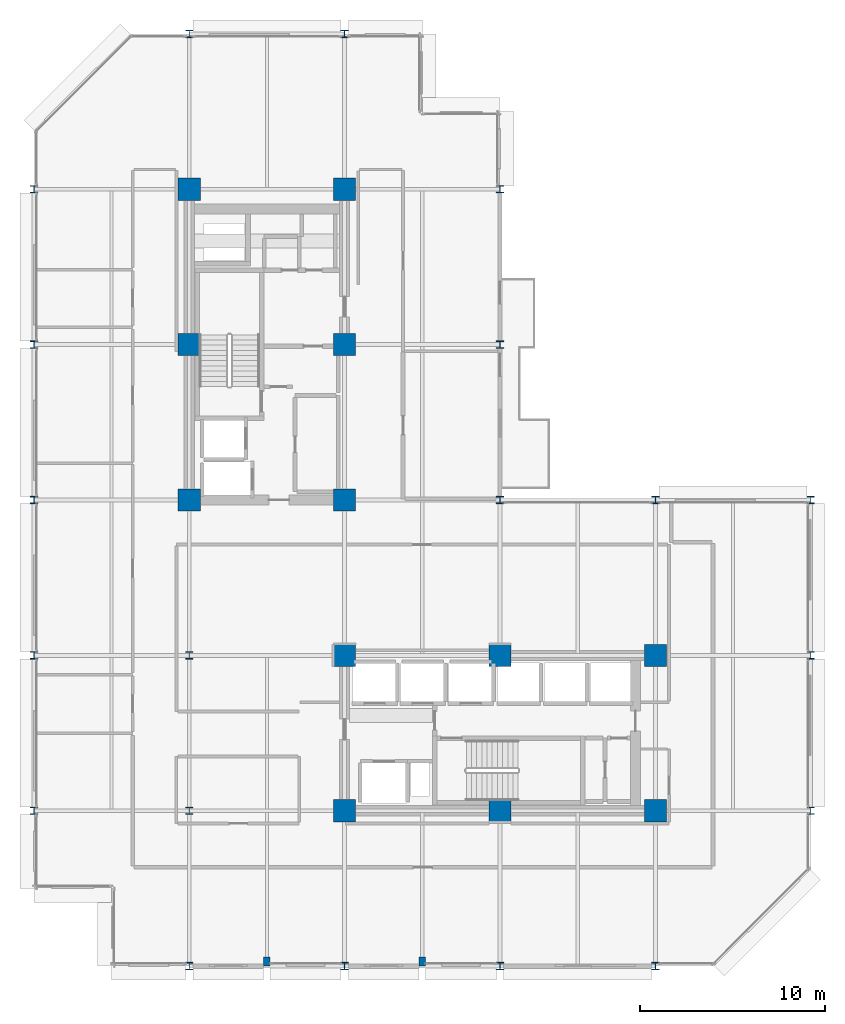
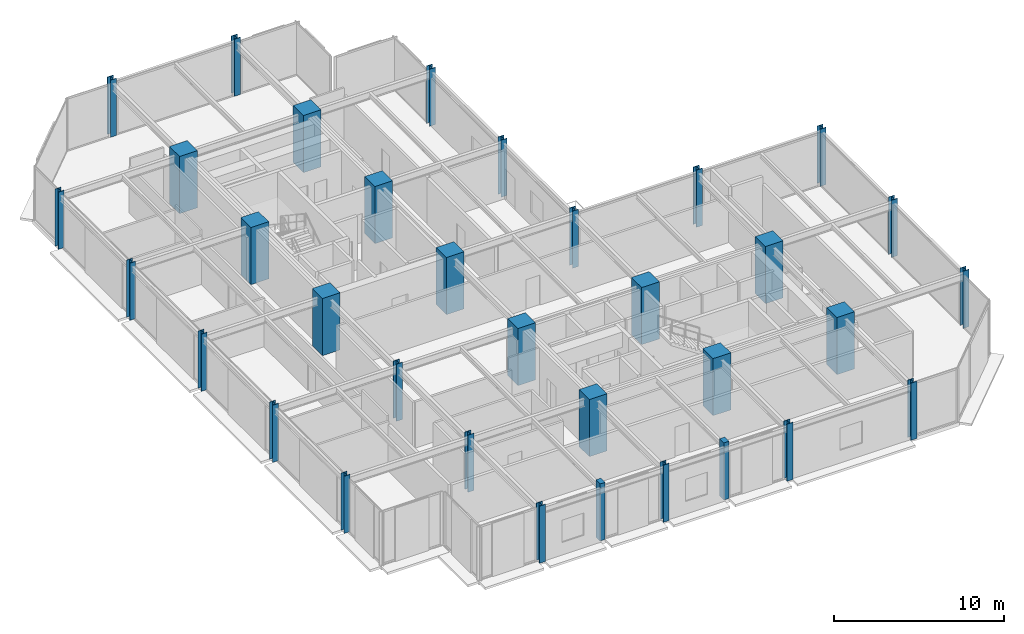
# One storey, part 1 of 30: 34 columns.
"""IFC4 building model written with IfcOpenShell, lengths in metres."""

from ifc_helpers import new_model, si_unit, direction, frame, origin, origin_2d, place, context, subcontext, project, spatial, rectangle, i_section, extrude, material, material_profile, profile_set, type_object, element, save


model = new_model("IFC4")

# Units and contexts
model_context = context("Model", 3, precision=1e-05, world=origin(), true_north=direction((0.0, 1.0)))
body_context = subcontext(model_context, "Body", "Model", "MODEL_VIEW")
ifc_project = project(units=[si_unit("LENGTHUNIT", "METRE"), si_unit("AREAUNIT", "SQUARE_METRE"), si_unit("VOLUMEUNIT", "CUBIC_METRE"), si_unit("PLANEANGLEUNIT", "RADIAN"), si_unit("MASSUNIT", "GRAM", prefix="KILO")], contexts=[model_context])

# Site, building, storey
site_placement = place(None, origin())
site = spatial("IfcSite", under=ifc_project, at=site_placement, CompositionType="ELEMENT")
building_placement = place(site_placement, origin())
building = spatial("IfcBuilding", under=site, at=building_placement, Name="Nerrivon Quay Data Exchange", CompositionType="ELEMENT")
storey_placement = place(building_placement, frame((0.0, 0.0, 129.5)))
storey = spatial("IfcBuildingStorey", under=building, at=storey_placement, Name="L30", CompositionType="ELEMENT", Elevation=129.5)

# Columns
ifc_material_1 = material(Name="Concrete S65 (65 MPa)", Category="concrete")
ifc_material_profile_1 = material_profile(ifc_material_1, rectangle(XDim=1.199951171875, YDim=1.199951171875, at=origin_2d()), Name="RC-COL-1200x1200")
ifc_profile_set_1 = profile_set([ifc_material_profile_1], Name="Concrete S65 (65 MPa)")
column_type_1 = type_object("IfcColumnType", Name="COL-C3-1200", PredefinedType="COLUMN", material=ifc_profile_set_1)
for number, where, z_axis, x_axis, name in (
    (1, (8.39990234375, 25.199951171875, 0.0), (0.0, 0.0, 1.0), (1.0, 0.0, 0.0), "L30 Column (8.4,25.2)"),
    (2, (8.39990234375, 33.60009765625, 0.0), (0.0, 0.0, 1.0), (1.0, 0.0, 0.0), "L30 Column (8.4,33.6)"),
    (3, (8.39990234375, 42.0, 0.0), (0.0, 0.0, 1.0), (1.0, 0.0, 0.0), "L30 Column (8.4,42.0)"),
    (4, (16.800048828125, 8.39990234375, 0.0), (0.0, 0.0, 1.0), (1.0, 0.0, 0.0), "L30 Column (16.8,8.4)"),
    (5, (16.800048828125, 16.800048828125, 0.0), (0.0, 0.0, 1.0), (1.0, 0.0, 0.0), "L30 Column (16.8,16.8)"),
    (6, (16.800048828125, 25.199951171875, 0.0), (0.0, 0.0, 1.0), (1.0, 0.0, 0.0), "L30 Column (16.8,25.2)"),
    (7, (16.800048828125, 33.60009765625, 0.0), (0.0, 0.0, 1.0), (1.0, 0.0, 0.0), "L30 Column (16.8,33.6)"),
    (8, (16.800048828125, 42.0, 0.0), (0.0, 0.0, 1.0), (1.0, 0.0, 0.0), "L30 Column (16.8,42.0)"),
    (9, (25.199951171875, 8.39990234375, 0.0), (0.0, 0.0, 1.0), (1.0, 0.0, 0.0), "L30 Column (25.2,8.4)"),
    (10, (25.199951171875, 16.800048828125, 0.0), (0.0, 0.0, 1.0), (1.0, 0.0, 0.0), "L30 Column (25.2,16.8)"),
    (11, (33.60009765625, 8.39990234375, 0.0), (0.0, 0.0, 1.0), (1.0, 0.0, 0.0), "L30 Column (33.6,8.4)"),
    (12, (33.60009765625, 16.800048828125, 0.0), (0.0, 0.0, 1.0), (1.0, 0.0, 0.0), "L30 Column (33.6,16.8)"),
):
    element("IfcColumn", number, at=place(storey_placement, frame(where, z_axis=z_axis, x_axis=x_axis)), inside=storey, type_object=column_type_1, Name=name, PredefinedType="COLUMN", context=body_context, shape_type="SweptSolid", body=[
        extrude(rectangle(XDim=1.199951171875, YDim=1.199951171875, at=origin_2d()), origin(), (0.0, 0.0, 1.0), 4.10009765625),
    ])
ifc_material_2 = material(Name="Steel Grade 350", Category="steel")
ifc_material_profile_2 = material_profile(ifc_material_2, i_section(OverallWidth=0.39990234375, OverallDepth=0.39990234375, WebThickness=0.02490234375, FlangeThickness=0.0400390625, at=origin_2d()), Name="400WC328")
ifc_profile_set_2 = profile_set([ifc_material_profile_2], Name="Steel Grade 350")
column_type_2 = type_object("IfcColumnType", Name="COL-SC2-400WC", PredefinedType="COLUMN", material=ifc_profile_set_2)
for number, where, z_axis, x_axis, name in (
    (13, (0.0, 8.39990234375, 0.0), (0.0, 0.0, 1.0), (1.0, 0.0, 0.0), "L30 Column (0.0,8.4)"),
    (14, (0.0, 16.800048828125, 0.0), (0.0, 0.0, 1.0), (1.0, 0.0, 0.0), "L30 Column (0.0,16.8)"),
    (15, (0.0, 25.199951171875, 0.0), (0.0, 0.0, 1.0), (1.0, 0.0, 0.0), "L30 Column (0.0,25.2)"),
    (16, (0.0, 33.60009765625, 0.0), (0.0, 0.0, 1.0), (1.0, 0.0, 0.0), "L30 Column (0.0,33.6)"),
    (17, (0.0, 42.0, 0.0), (0.0, 0.0, 1.0), (1.0, 0.0, 0.0), "L30 Column (0.0,42.0)"),
    (18, (8.39990234375, 0.0, 0.0), (0.0, 0.0, 1.0), (1.0, 0.0, 0.0), "L30 Column (8.4,0.0)"),
    (19, (8.39990234375, 8.39990234375, 0.0), (0.0, 0.0, 1.0), (1.0, 0.0, 0.0), "L30 Column (8.4,8.4)"),
    (20, (8.39990234375, 16.800048828125, 0.0), (0.0, 0.0, 1.0), (1.0, 0.0, 0.0), "L30 Column (8.4,16.8)"),
    (21, (8.39990234375, 50.39990234375, 0.0), (0.0, 0.0, 1.0), (1.0, 0.0, 0.0), "L30 Column (8.4,50.4)"),
    (22, (16.800048828125, 0.0, 0.0), (0.0, 0.0, 1.0), (1.0, 0.0, 0.0), "L30 Column (16.8,0.0)"),
    (23, (16.800048828125, 50.39990234375, 0.0), (0.0, 0.0, 1.0), (1.0, 0.0, 0.0), "L30 Column (16.8,50.4)"),
    (24, (25.199951171875, 0.0, 0.0), (0.0, 0.0, 1.0), (1.0, 0.0, 0.0), "L30 Column (25.2,0.0)"),
    (25, (25.199951171875, 25.199951171875, 0.0), (0.0, 0.0, 1.0), (1.0, 0.0, 0.0), "L30 Column (25.2,25.2)"),
    (26, (25.199951171875, 33.60009765625, 0.0), (0.0, 0.0, 1.0), (1.0, 0.0, 0.0), "L30 Column (25.2,33.6)"),
    (27, (25.199951171875, 42.0, 0.0), (0.0, 0.0, 1.0), (1.0, 0.0, 0.0), "L30 Column (25.2,42.0)"),
    (28, (33.60009765625, 0.0, 0.0), (0.0, 0.0, 1.0), (1.0, 0.0, 0.0), "L30 Column (33.6,0.0)"),
    (29, (33.60009765625, 25.199951171875, 0.0), (0.0, 0.0, 1.0), (1.0, 0.0, 0.0), "L30 Column (33.6,25.2)"),
    (30, (42.0, 8.39990234375, 0.0), (0.0, 0.0, 1.0), (1.0, 0.0, 0.0), "L30 Column (42.0,8.4)"),
    (31, (42.0, 16.800048828125, 0.0), (0.0, 0.0, 1.0), (1.0, 0.0, 0.0), "L30 Column (42.0,16.8)"),
    (32, (42.0, 25.199951171875, 0.0), (0.0, 0.0, 1.0), (1.0, 0.0, 0.0), "L30 Column (42.0,25.2)"),
):
    element("IfcColumn", number, at=place(storey_placement, frame(where, z_axis=z_axis, x_axis=x_axis)), inside=storey, type_object=column_type_2, Name=name, PredefinedType="COLUMN", context=body_context, shape_type="SweptSolid", body=[
        extrude(i_section(OverallWidth=0.39990234375, OverallDepth=0.39990234375, WebThickness=0.02490234375, FlangeThickness=0.0400390625, at=origin_2d()), origin(), (0.0, 0.0, 1.0), 4.10009765625),
    ])
ifc_material_3 = material(Name="Concrete N50 (50 MPa)", Category="concrete")
ifc_material_profile_3 = material_profile(ifc_material_3, rectangle(XDim=0.35009765625, YDim=0.5, at=origin_2d()), Name="RC-PIL-500x350")
ifc_profile_set_3 = profile_set([ifc_material_profile_3], Name="Concrete N50 (50 MPa)")
column_type_3 = type_object("IfcColumnType", Name="PIL-P2-500x350", PredefinedType="PILASTER", material=ifc_profile_set_3)
for number, where, z_axis, x_axis, name in (
    (33, (12.60009765625, 0.25, 0.0), (0.0, 0.0, 1.0), (1.0, 0.0, 0.0), "L30 Facade Pilaster (12.6)"),
    (34, (21.0, 0.25, 0.0), (0.0, 0.0, 1.0), (1.0, 0.0, 0.0), "L30 Facade Pilaster (21.0)"),
):
    element("IfcColumn", number, at=place(storey_placement, frame(where, z_axis=z_axis, x_axis=x_axis)), inside=storey, type_object=column_type_3, Name=name, PredefinedType="PILASTER", context=body_context, shape_type="SweptSolid", body=[
        extrude(rectangle(XDim=0.35009765625, YDim=0.5, at=origin_2d()), origin(), (0.0, 0.0, 1.0), 4.10009765625),
    ])

save(model, "model.ifc")
